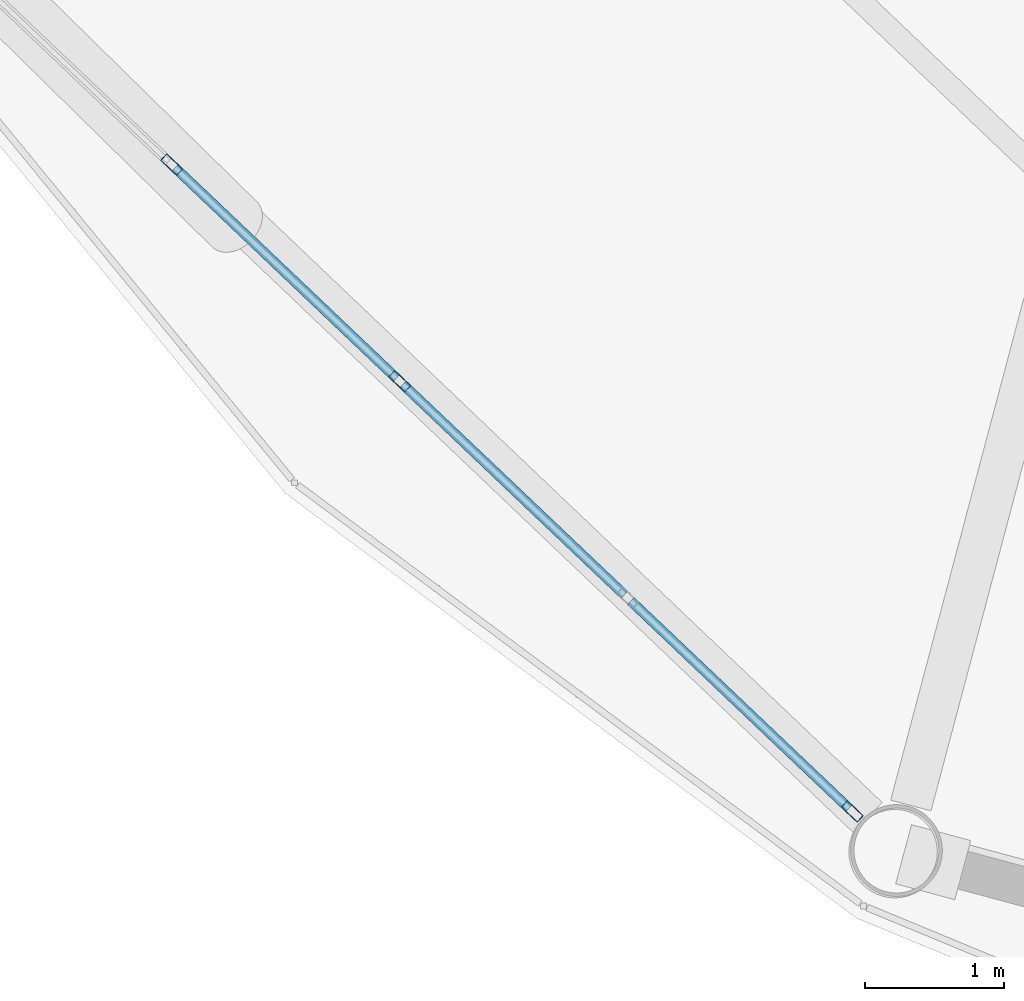
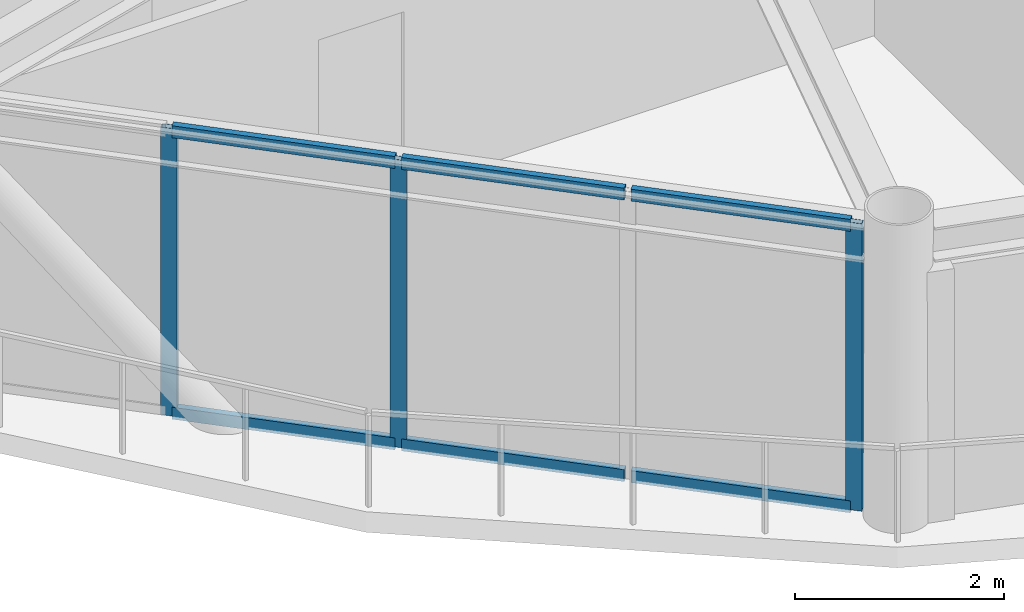
# One storey, part 2 of 29: 9 members, 1 element without a shape of its own.
"""IFC4 building model written with IfcOpenShell, lengths in metres."""

import ifcopenshell
import ifcopenshell.guid

model = None  # the IFC model being written
_history = None  # IfcOwnerHistory: only IFC2X3 demands one
_inside = {}  # id of a spatial element -> (the spatial element, [elements in it])
_under = {}  # id of a project, library or spatial element -> (it, [spatial elements below it])
_declared = {}  # id of a project -> (the project, [libraries it declares])
_typed = {}  # id of a type object -> (the type object, [elements of that type])
_made_of = {}  # id of a material, layer set ... -> (it, [elements and type objects made of it])


def new_model(schema):
    """Start an empty IFC model of exactly this schema.

    Asked for "IFC4X3", IfcOpenShell would pick the latest addendum, in which some entities
    have other attributes; the version numbers below select the first issue.
    IFC2X3 requires an IfcOwnerHistory on every rooted entity: one is made here for all.
    """
    global model, _history
    if schema == "IFC4X3":
        model = ifcopenshell.file(schema_version=(4, 3, 0, 0))
    else:
        model = ifcopenshell.file(schema=schema)
    _inside.clear()
    _under.clear()
    _declared.clear()
    _typed.clear()
    _made_of.clear()
    _history = None
    if model.schema == "IFC2X3":
        org = make("IfcOrganization", Name="unknown")
        user = make(
            "IfcPersonAndOrganization",
            ThePerson=make("IfcPerson", FamilyName="unknown"),
            TheOrganization=org,
        )
        app = make(
            "IfcApplication",
            ApplicationDeveloper=org,
            Version="unknown",
            ApplicationFullName="unknown",
            ApplicationIdentifier="unknown",
        )
        _history = make(
            "IfcOwnerHistory",
            OwningUser=user,
            OwningApplication=app,
            ChangeAction="ADDED",
            CreationDate=0,
        )
    return model


def make(cls, **values):
    """One entity of the class cls with the attributes given. An attribute that is None is left unset."""
    return model.create_entity(
        cls, **{name: value for name, value in values.items() if value is not None}
    )


def rooted(cls, **values):
    """An entity with a GlobalId (a new one), such as an element, a storey or a relation."""
    return make(cls, GlobalId=ifcopenshell.guid.new(), OwnerHistory=_history, **values)


def si_unit(unit_type, name, prefix=None):
    """IfcSIUnit, for example si_unit("LENGTHUNIT", "METRE", prefix="MILLI")."""
    return make("IfcSIUnit", UnitType=unit_type, Prefix=prefix, Name=name)


def assignment(units):
    """IfcUnitAssignment: the units of a project."""
    return None if units is None else make("IfcUnitAssignment", Units=units)


def point(xyz):
    """IfcCartesianPoint."""
    return None if xyz is None else make("IfcCartesianPoint", Coordinates=xyz)


def direction(xyz):
    """IfcDirection."""
    return None if xyz is None else make("IfcDirection", DirectionRatios=xyz)


def frame(location, z_axis=None, x_axis=None):
    """IfcAxis2Placement3D, a coordinate frame: its origin and axes. An axis left out is left unset."""
    return make(
        "IfcAxis2Placement3D",
        Location=point(location),
        Axis=direction(z_axis),
        RefDirection=direction(x_axis),
    )


def frame_2d(location, x_axis=None):
    """IfcAxis2Placement2D, a coordinate frame in the plane: its origin and x axis."""
    return make(
        "IfcAxis2Placement2D", Location=point(location), RefDirection=direction(x_axis)
    )


def origin():
    """The frame at (0, 0, 0) with its axes left unset."""
    return frame((0.0, 0.0, 0.0))


def origin_2d():
    """The frame at (0, 0) in the plane with its x axis left unset."""
    return frame_2d((0.0, 0.0))


def place(relative_to, where):
    """IfcLocalPlacement: puts the frame where relative to a parent placement (None: the world)."""
    return make(
        "IfcLocalPlacement", PlacementRelTo=relative_to, RelativePlacement=where
    )


def context(
    kind, dimensions, precision=None, world=None, true_north=None, identifier=None
):
    """IfcGeometricRepresentationContext, for example the 3D "Model" context."""
    return make(
        "IfcGeometricRepresentationContext",
        ContextIdentifier=identifier,
        ContextType=kind,
        CoordinateSpaceDimension=dimensions,
        Precision=precision,
        WorldCoordinateSystem=world,
        TrueNorth=true_north,
    )


def subcontext(parent, identifier, kind, view, scale=None):
    """IfcGeometricRepresentationSubContext, for example "Body" below "Model"."""
    return make(
        "IfcGeometricRepresentationSubContext",
        ContextIdentifier=identifier,
        ContextType=kind,
        ParentContext=parent,
        TargetScale=scale,
        TargetView=view,
    )


def project(units=None, contexts=None):
    """IfcProject with its units and contexts."""
    return rooted(
        "IfcProject",
        Name="project",
        RepresentationContexts=contexts,
        UnitsInContext=assignment(units),
    )


def spatial(cls, under=None, at=None, **own):
    """A site, building, storey or space (cls), placed at a placement, below another one or the project."""
    s = rooted(cls, ObjectPlacement=at, **own)
    if under is not None:
        _under.setdefault(under.id(), (under, []))[1].append(s)
    return s


def profile(cls, at=None, kind="AREA", **sizes):
    """A parametric profile (cls). Its sizes go by their IFC names, for example OverallWidth=200.0."""
    return make(cls, ProfileType=kind, Position=at, **sizes)


def hollow_rectangle(**sizes):
    """IfcRectangleHollowProfileDef."""
    return profile("IfcRectangleHollowProfileDef", **sizes)


def extrude(swept, where, along, depth):
    """IfcExtrudedAreaSolid: the profile swept, set in the frame where, extruded along a direction by depth."""
    return make(
        "IfcExtrudedAreaSolid",
        SweptArea=swept,
        Position=where,
        ExtrudedDirection=direction(along),
        Depth=depth,
    )


def shape(context_of_items, identifier, shape_type, items):
    """IfcShapeRepresentation: the items that make up one representation, for example the "Body"."""
    return make(
        "IfcShapeRepresentation",
        ContextOfItems=context_of_items,
        RepresentationIdentifier=identifier,
        RepresentationType=shape_type,
        Items=items,
    )


def material(Name=None, Category=None):
    """IfcMaterial."""
    return make("IfcMaterial", Name=Name, Category=Category)


def layer(
    of_material, thickness, ventilated=None, Name=None, Category=None, Priority=None
):
    """IfcMaterialLayer: one layer of a wall or slab, of a material (None: an air gap)."""
    return make(
        "IfcMaterialLayer",
        Material=of_material,
        LayerThickness=thickness,
        IsVentilated=ventilated,
        Name=Name,
        Category=Category,
        Priority=Priority,
    )


def layer_set(layers, Name=None):
    """IfcMaterialLayerSet."""
    return make("IfcMaterialLayerSet", MaterialLayers=layers, LayerSetName=Name)


def material_profile(
    of_material, cross_section, Name=None, Category=None, Priority=None
):
    """IfcMaterialProfile: a cross section and its material."""
    return make(
        "IfcMaterialProfile",
        Name=Name,
        Material=of_material,
        Profile=cross_section,
        Priority=Priority,
        Category=Category,
    )


def profile_set(profiles, Name=None, composite=None):
    """IfcMaterialProfileSet."""
    return make(
        "IfcMaterialProfileSet",
        Name=Name,
        MaterialProfiles=profiles,
        CompositeProfile=composite,
    )


def made_of(thing, what):
    """Note that an element or type object is made of a material, layer set ...; save() writes the relation."""
    if what is not None:
        _made_of.setdefault(what.id(), (what, []))[1].append(thing)
    return thing


def type_object(cls, material=None, **own):
    """A type object (cls), such as IfcWallType, which elements share."""
    return made_of(rooted(cls, **own), material)


def element(
    cls,
    number,
    at=None,
    inside=None,
    cuts=None,
    type_object=None,
    material=None,
    context=None,
    identifier="Body",
    shape_type=None,
    held_by="IfcProductDefinitionShape",
    body=None,
    shapes=None,
    **own,
):
    """One element of the class cls, such as IfcWall. Its Tag is "e" and its number.

    at: its placement. inside: the storey or other place that contains it. cuts: it is an
    opening in that element (IfcRelVoidsElement). A single representation is given by context,
    identifier, shape_type and body (its items); several are given by shapes. held_by: the class
    of the entity that holds the representations. save() writes the other relations.
    """
    e = rooted(cls, Tag="e%d" % number, ObjectPlacement=at, **own)
    if body is not None:
        shapes = [shape(context, identifier, shape_type, body)]
    if shapes is not None:
        e.Representation = make(held_by, Representations=shapes)
    if inside is not None:
        _inside.setdefault(inside.id(), (inside, []))[1].append(e)
    if cuts is not None:
        rooted(
            "IfcRelVoidsElement", RelatingBuildingElement=cuts, RelatedOpeningElement=e
        )
    if type_object is not None:
        _typed.setdefault(type_object.id(), (type_object, []))[1].append(e)
    return made_of(e, material)


def aggregate(whole, parts):
    """IfcRelAggregates: a whole, such as a stair, and the parts it consists of."""
    return rooted("IfcRelAggregates", RelatingObject=whole, RelatedObjects=parts)


def save(model, path):
    """Write the relations noted so far, then the file.

    IfcRelAggregates (storeys below a building ...), IfcRelContainedInSpatialStructure (elements
    in a storey), IfcRelDefinesByType, IfcRelAssociatesMaterial and IfcRelDeclares: one each for
    every whole, place, type object, material and project.
    """
    for whole, parts in _under.values():
        aggregate(whole, parts)
    for where, things in _inside.values():
        rooted(
            "IfcRelContainedInSpatialStructure",
            RelatedElements=things,
            RelatingStructure=where,
        )
    for kind, things in _typed.values():
        rooted("IfcRelDefinesByType", RelatedObjects=things, RelatingType=kind)
    for what, things in _made_of.values():
        rooted("IfcRelAssociatesMaterial", RelatedObjects=things, RelatingMaterial=what)
    for by, libraries in _declared.values():
        rooted("IfcRelDeclares", RelatingContext=by, RelatedDefinitions=libraries)
    model.write(path)


model = new_model("IFC4")

# Units and contexts
model_context = context("Model", 3, precision=1e-05, world=origin(), true_north=direction((0.0, 1.0)))
body_context = subcontext(model_context, "Body", "Model", "MODEL_VIEW")
ifc_project = project(units=[si_unit("LENGTHUNIT", "METRE"), si_unit("AREAUNIT", "SQUARE_METRE"), si_unit("VOLUMEUNIT", "CUBIC_METRE"), si_unit("PLANEANGLEUNIT", "RADIAN"), si_unit("MASSUNIT", "GRAM", prefix="KILO")], contexts=[model_context])

# Site, building, storey
site_placement = place(None, origin())
site = spatial("IfcSite", under=ifc_project, at=site_placement, CompositionType="ELEMENT")
building_placement = place(site_placement, origin())
building = spatial("IfcBuilding", under=site, at=building_placement, Name="Varnakorn Sky Granary", CompositionType="ELEMENT")
storey_placement = place(building_placement, frame((0.0, 0.0, 189.60009765625)))
storey = spatial("IfcBuildingStorey", under=building, at=storey_placement, Name="L47", CompositionType="ELEMENT", Elevation=189.60009765625)

# Curtain wall, members
ifc_material = material(Name="Anodised Bronze Aluminium Alloy 6063-T6", Category="aluminium")
ifc_layer = layer(ifc_material, 0.169921875, Name="Anodised Bronze Aluminium Alloy 6063-T6")
ifc_layer_set = layer_set([ifc_layer], Name="Anodised Bronze Aluminium Alloy 6063-T6")
curtain_wall_type = type_object("IfcCurtainWallType", Name="CW-LAB-1", PredefinedType="USERDEFINED", material=ifc_layer_set)
curtain_wall_placement = place(storey_placement, origin())
curtain_wall = element("IfcCurtainWall", 1, at=curtain_wall_placement, inside=storey, type_object=curtain_wall_type, Name="Unitised Curtain Wall CW5 CW-L47-B08", ObjectType="CURTAIN WALL", PredefinedType="USERDEFINED")
ifc_material_profile_1 = material_profile(ifc_material, hollow_rectangle(XDim=0.06494140625, YDim=0.159912109375, WallThickness=0.00341796875, at=origin_2d()), Name="ALU MULL 65x160")
ifc_profile_set_1 = profile_set([ifc_material_profile_1], Name="Anodised Bronze Aluminium Alloy 6063-T6")
member_type_1 = type_object("IfcMemberType", Name="CW-LAB-1-MULL", PredefinedType="MULLION", material=ifc_profile_set_1)
member_1_placement = place(storey_placement, frame((-5.17822265625, -15.712890625, 0.0), z_axis=(0.0, 0.0, 1.0), x_axis=(-0.688905297757, -0.724851357674, 0.0)))
member_1 = element("IfcMember", 2, at=member_1_placement, type_object=member_type_1, Name="CW5 mullion 1", PredefinedType="MULLION", context=body_context, shape_type="SweptSolid", body=[
    extrude(hollow_rectangle(XDim=0.06494140625, YDim=0.159912109375, WallThickness=0.00341796875, at=origin_2d()), origin(), (0.0, 0.0, 1.0), 3.35986328125),
])
member_2_placement = place(storey_placement, frame((-8.430419921875, -12.6220703125, 0.0), z_axis=(0.0, 0.0, 1.0), x_axis=(-0.688905297757, -0.724851357674, 0.0)))
member_2 = element("IfcMember", 3, at=member_2_placement, type_object=member_type_1, Name="CW5 mullion 3", PredefinedType="MULLION", context=body_context, shape_type="SweptSolid", body=[
    extrude(hollow_rectangle(XDim=0.06494140625, YDim=0.159912109375, WallThickness=0.00341796875, at=origin_2d()), origin(), (0.0, 0.0, 1.0), 3.35986328125),
])
member_3_placement = place(storey_placement, frame((-10.068359375, -11.0654296875, 0.0), z_axis=(0.0, 0.0, 1.0), x_axis=(-0.688905297757, -0.724851357674, 0.0)))
member_3 = element("IfcMember", 4, at=member_3_placement, type_object=member_type_1, Name="CW5 mullion 4", PredefinedType="MULLION", context=body_context, shape_type="SweptSolid", body=[
    extrude(hollow_rectangle(XDim=0.06494140625, YDim=0.159912109375, WallThickness=0.00341796875, at=origin_2d()), origin(), (0.0, 0.0, 1.0), 3.35986328125),
])
ifc_material_profile_2 = material_profile(ifc_material, hollow_rectangle(XDim=0.070068359375, YDim=0.139892578125, WallThickness=0.00341796875, at=origin_2d()), Name="ALU TRAN 70x140")
ifc_profile_set_2 = profile_set([ifc_material_profile_2], Name="Anodised Bronze Aluminium Alloy 6063-T6")
member_type_2 = type_object("IfcMemberType", Name="CW-LAB-1-TRAN", PredefinedType="USERDEFINED", material=ifc_profile_set_2)
member_4_placement = place(storey_placement, frame((-5.201904296875, -15.690673828125, 0.034912109375), z_axis=(-0.72483307441, 0.688924534503, 0.0), x_axis=(-0.688924534503, -0.72483307441, 0.0)))
member_4 = element("IfcMember", 5, at=member_4_placement, type_object=member_type_2, Name="CW5 transom 1.1", ObjectType="TRANSOM", PredefinedType="USERDEFINED", context=body_context, shape_type="SweptSolid", body=[
    extrude(hollow_rectangle(XDim=0.070068359375, YDim=0.139892578125, WallThickness=0.00341796875, at=origin_2d()), origin(), (0.0, 0.0, 1.0), 2.162109375),
])
member_5_placement = place(storey_placement, frame((-5.201904296875, -15.690673828125, 3.324951171875), z_axis=(-0.72483307441, 0.688924534503, 0.0), x_axis=(-0.688924534503, -0.72483307441, 0.0)))
member_5 = element("IfcMember", 6, at=member_5_placement, type_object=member_type_2, Name="CW5 transom 1.2", ObjectType="TRANSOM", PredefinedType="USERDEFINED", context=body_context, shape_type="SweptSolid", body=[
    extrude(hollow_rectangle(XDim=0.070068359375, YDim=0.139892578125, WallThickness=0.00341796875, at=origin_2d()), origin(), (0.0, 0.0, 1.0), 2.162109375),
])
member_6_placement = place(storey_placement, frame((-6.816162109375, -14.15625, 0.034912109375), z_axis=(-0.724899433292, 0.68885471009, 0.0), x_axis=(-0.68885471009, -0.724899433292, 0.0)))
member_6 = element("IfcMember", 7, at=member_6_placement, type_object=member_type_2, Name="CW5 transom 2.1", ObjectType="TRANSOM", PredefinedType="USERDEFINED", context=body_context, shape_type="SweptSolid", body=[
    extrude(hollow_rectangle(XDim=0.070068359375, YDim=0.139892578125, WallThickness=0.00341796875, at=origin_2d()), origin(), (0.0, 0.0, 1.0), 2.194580078125),
])
member_7_placement = place(storey_placement, frame((-6.816162109375, -14.15625, 3.324951171875), z_axis=(-0.724899433292, 0.68885471009, 0.0), x_axis=(-0.68885471009, -0.724899433292, 0.0)))
member_7 = element("IfcMember", 8, at=member_7_placement, type_object=member_type_2, Name="CW5 transom 2.2", ObjectType="TRANSOM", PredefinedType="USERDEFINED", context=body_context, shape_type="SweptSolid", body=[
    extrude(hollow_rectangle(XDim=0.070068359375, YDim=0.139892578125, WallThickness=0.00341796875, at=origin_2d()), origin(), (0.0, 0.0, 1.0), 2.194580078125),
])
member_8_placement = place(storey_placement, frame((-8.4541015625, -12.599609375, 0.034912109375), z_axis=(-0.724843882888, 0.688913162481, 0.0), x_axis=(-0.688913162481, -0.724843882888, 0.0)))
member_8 = element("IfcMember", 9, at=member_8_placement, type_object=member_type_2, Name="CW5 transom 3.1", ObjectType="TRANSOM", PredefinedType="USERDEFINED", context=body_context, shape_type="SweptSolid", body=[
    extrude(hollow_rectangle(XDim=0.070068359375, YDim=0.139892578125, WallThickness=0.00341796875, at=origin_2d()), origin(), (0.0, 0.0, 1.0), 2.19482421875),
])
member_9_placement = place(storey_placement, frame((-8.4541015625, -12.599609375, 3.324951171875), z_axis=(-0.724843882888, 0.688913162481, 0.0), x_axis=(-0.688913162481, -0.724843882888, 0.0)))
member_9 = element("IfcMember", 10, at=member_9_placement, type_object=member_type_2, Name="CW5 transom 3.2", ObjectType="TRANSOM", PredefinedType="USERDEFINED", context=body_context, shape_type="SweptSolid", body=[
    extrude(hollow_rectangle(XDim=0.070068359375, YDim=0.139892578125, WallThickness=0.00341796875, at=origin_2d()), origin(), (0.0, 0.0, 1.0), 2.19482421875),
])
aggregate(curtain_wall, [member_1, member_2, member_3, member_4, member_5, member_6, member_7, member_8, member_9])

save(model, "model.ifc")
